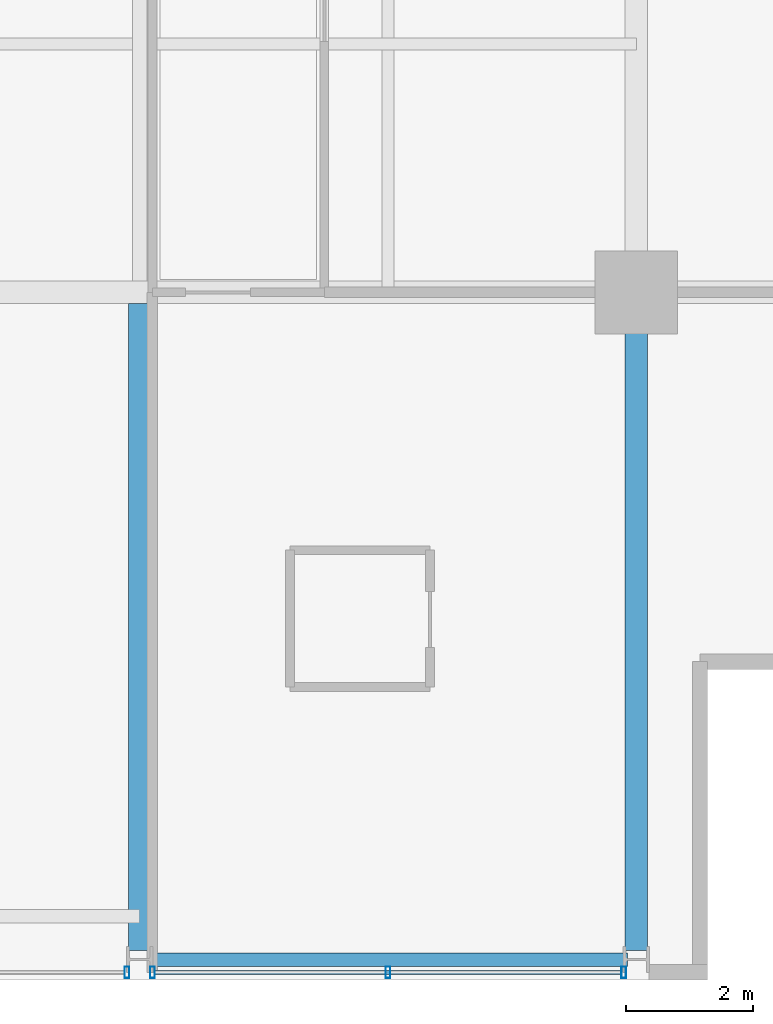
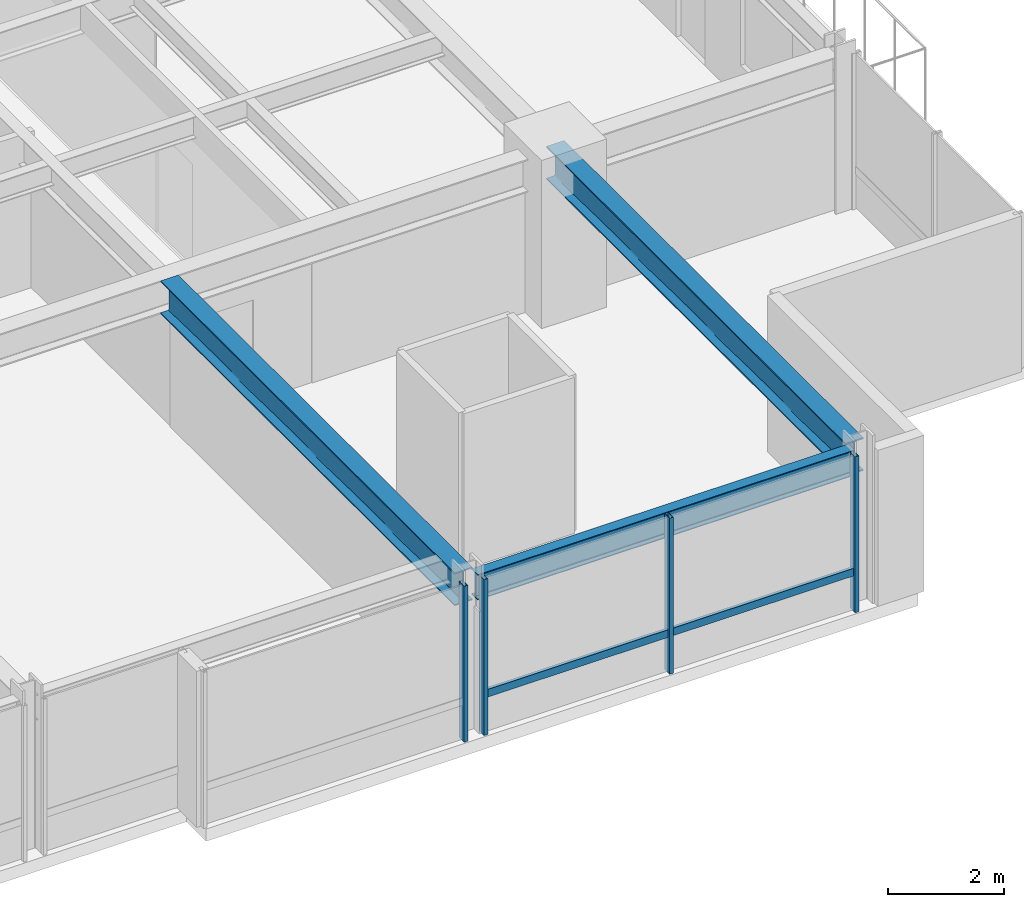
# One storey, part 11 of 32: 5 members, 3 beams, 2 elements without a shape of their own.
"""IFC4 building model written with IfcOpenShell, lengths in metres."""

from ifc_helpers import new_model, si_unit, direction, frame, origin, origin_2d, place, context, subcontext, project, spatial, hollow_rectangle, i_section, extrude, material, layer, layer_set, material_profile, profile_set, type_object, element, aggregate, save


model = new_model("IFC4")

# Units and contexts
model_context = context("Model", 3, precision=1e-05, world=origin(), true_north=direction((0.0, 1.0)))
body_context = subcontext(model_context, "Body", "Model", "MODEL_VIEW")
ifc_project = project(units=[si_unit("LENGTHUNIT", "METRE"), si_unit("AREAUNIT", "SQUARE_METRE"), si_unit("VOLUMEUNIT", "CUBIC_METRE"), si_unit("PLANEANGLEUNIT", "RADIAN"), si_unit("MASSUNIT", "GRAM", prefix="KILO")], contexts=[model_context])

# Site, building, storey
site_placement = place(None, origin())
site = spatial("IfcSite", under=ifc_project, at=site_placement, CompositionType="ELEMENT")
building_placement = place(site_placement, origin())
building = spatial("IfcBuilding", under=site, at=building_placement, Name="Drelvath Grand Hotel", CompositionType="ELEMENT")
storey_placement = place(building_placement, frame((0.0, 0.0, 164.60009765625)))
storey = spatial("IfcBuildingStorey", under=building, at=storey_placement, Name="L42", CompositionType="ELEMENT", Elevation=164.60009765625)

# Curtain wall, member
ifc_material_1 = material(Name="Brushed Pale-Silver Anodised Aluminium Frame", Category="aluminium")
ifc_layer = layer(ifc_material_1, 0.199951171875)
ifc_layer_set = layer_set([ifc_layer], Name="Brushed Pale-Silver Anodised Aluminium Frame")
curtain_wall_type = type_object("IfcCurtainWallType", Name="Stick Curtain Wall CW-04 Brushed Silver Upper-Mid", PredefinedType="NOTDEFINED", material=ifc_layer_set)
curtain_wall_1_placement = place(storey_placement, origin())
curtain_wall_1 = element("IfcCurtainWall", 1, at=curtain_wall_1_placement, inside=storey, type_object=curtain_wall_type, Name="L42 CW-04 Curtain Wall CW04-L42-SE2", PredefinedType="NOTDEFINED")
ifc_material_profile_1 = material_profile(ifc_material_1, hollow_rectangle(XDim=0.06494140625, YDim=0.159912109375, WallThickness=0.00390625, at=origin_2d()), Name="HSS160X65X4")
ifc_profile_set_1 = profile_set([ifc_material_profile_1], Name="Brushed Pale-Silver Anodised Aluminium Frame")
member_type_1 = type_object("IfcMemberType", Name="Curtain Wall Horizontal Transom CW-04 HSS160X65X4", PredefinedType="USERDEFINED", material=ifc_profile_set_1)
member_1_placement = place(storey_placement, frame((15.9599609375, 0.1201171875, 0.822509765625), z_axis=(-1.0, 0.0, 0.0), x_axis=(0.0, -1.0, 0.0)))
member_1 = element("IfcMember", 2, at=member_1_placement, type_object=member_type_1, Name="CW04-L42-SE2 Sill Transom", ObjectType="TRANSOM", PredefinedType="USERDEFINED", context=body_context, shape_type="SweptSolid", body=[
    extrude(hollow_rectangle(XDim=0.06494140625, YDim=0.159912109375, WallThickness=0.00390625, at=origin_2d()), origin(), (0.0, 0.0, 1.0), 7.31982421875),
])

curtain_wall_2_placement = place(storey_placement, origin())
curtain_wall_2 = element("IfcCurtainWall", 3, at=curtain_wall_2_placement, inside=storey, type_object=curtain_wall_type, Name="L42 CW-04 Curtain Wall CW04-L42-SE1", PredefinedType="NOTDEFINED")
ifc_material_profile_2 = material_profile(ifc_material_1, hollow_rectangle(XDim=0.074951171875, YDim=0.179931640625, WallThickness=0.0048828125, at=origin_2d()), Name="HSS180X75X5")
ifc_profile_set_2 = profile_set([ifc_material_profile_2], Name="Brushed Pale-Silver Anodised Aluminium Frame")
member_type_2 = type_object("IfcMemberType", Name="Curtain Wall Vertical Mullion CW-04 HSS180X75X5", PredefinedType="MULLION", material=ifc_profile_set_2)
member_2_placement = place(storey_placement, frame((8.199951171875, 0.1201171875, 0.0), z_axis=(0.0, 0.0, 1.0), x_axis=(1.0, 0.0, 0.0)))
member_2 = element("IfcMember", 4, at=member_2_placement, type_object=member_type_2, Name="CW04-L42-SE1 Mullion 1", PredefinedType="MULLION", context=body_context, shape_type="SweptSolid", body=[
    extrude(hollow_rectangle(XDim=0.074951171875, YDim=0.179931640625, WallThickness=0.0048828125, at=origin_2d()), origin(), (0.0, 0.0, 1.0), 3.289794921875),
])
aggregate(curtain_wall_2, [member_2])

# Member
member_3_placement = place(storey_placement, frame((16.0, 0.1201171875, 0.0), z_axis=(0.0, 0.0, 1.0), x_axis=(1.0, 0.0, 0.0)))
member_3 = element("IfcMember", 5, at=member_3_placement, type_object=member_type_2, Name="CW04-L42-SE2 Mullion 1", PredefinedType="MULLION", context=body_context, shape_type="SweptSolid", body=[
    extrude(hollow_rectangle(XDim=0.074951171875, YDim=0.179931640625, WallThickness=0.0048828125, at=origin_2d()), origin(), (0.0, 0.0, 1.0), 3.289794921875),
])

member_4_placement = place(storey_placement, frame((12.300048828125, 0.1201171875, 0.0), z_axis=(0.0, 0.0, 1.0), x_axis=(1.0, 0.0, 0.0)))
member_4 = element("IfcMember", 6, at=member_4_placement, type_object=member_type_2, Name="CW04-L42-SE2 Mullion 2", PredefinedType="MULLION", context=body_context, shape_type="SweptSolid", body=[
    extrude(hollow_rectangle(XDim=0.074951171875, YDim=0.179931640625, WallThickness=0.0048828125, at=origin_2d()), origin(), (0.0, 0.0, 1.0), 3.289794921875),
])

member_5_placement = place(storey_placement, frame((8.60009765625, 0.1201171875, 0.0), z_axis=(0.0, 0.0, 1.0), x_axis=(1.0, 0.0, 0.0)))
member_5 = element("IfcMember", 7, at=member_5_placement, type_object=member_type_2, Name="CW04-L42-SE2 Mullion 3", PredefinedType="MULLION", context=body_context, shape_type="SweptSolid", body=[
    extrude(hollow_rectangle(XDim=0.074951171875, YDim=0.179931640625, WallThickness=0.0048828125, at=origin_2d()), origin(), (0.0, 0.0, 1.0), 3.289794921875),
])

aggregate(curtain_wall_1, [member_3, member_4, member_5, member_1])

# Beams
ifc_material_2 = material(Name="Steel ASTM A992 Gr 50", Category="steel")
ifc_material_profile_3 = material_profile(ifc_material_2, i_section(OverallWidth=0.210205078125, OverallDepth=0.53662109375, WebThickness=0.010986328125, FlangeThickness=0.017333984375, FilletRadius=0.01806640625, at=origin_2d()), Name="W21X68")
ifc_profile_set_3 = profile_set([ifc_material_profile_3], Name="Steel ASTM A992 Gr 50")
beam_type_1 = type_object("IfcBeamType", Name="Perimeter Spandrel Beam W21X68", PredefinedType="SPANDREL", material=ifc_profile_set_3)
beam_1_placement = place(storey_placement, frame((8.5400390625, 0.320068359375, 3.021484375), z_axis=(1.0, 0.0, 0.0), x_axis=(0.0, 1.0, 0.0)))
element("IfcBeam", 8, at=beam_1_placement, inside=storey, type_object=beam_type_1, Name="L42 Spandrel South E", PredefinedType="SPANDREL", context=body_context, shape_type="SweptSolid", body=[
    extrude(i_section(OverallWidth=0.210205078125, OverallDepth=0.53662109375, WebThickness=0.010986328125, FlangeThickness=0.017333984375, FilletRadius=0.01806640625, at=origin_2d()), origin(), (0.0, 0.0, 1.0), 7.52001953125),
])
ifc_material_profile_4 = material_profile(ifc_material_2, i_section(OverallWidth=0.354736328125, OverallDepth=0.695556640625, WebThickness=0.015380859375, FlangeThickness=0.025146484375, FilletRadius=0.02392578125, at=origin_2d()), Name="W27X146")
ifc_profile_set_4 = profile_set([ifc_material_profile_4], Name="Steel ASTM A992 Gr 50")
beam_type_2 = type_object("IfcBeamType", Name="Primary Floor Girder W27X146", PredefinedType="BEAM", material=ifc_profile_set_4)
beam_2_placement = place(storey_placement, frame((16.199951171875, 0.4599609375, 2.942138671875), z_axis=(0.0, 1.0, 0.0), x_axis=(-1.0, 0.0, 0.0)))
element("IfcBeam", 9, at=beam_2_placement, inside=storey, type_object=beam_type_2, Name="L42 South Grid Girder 7", PredefinedType="BEAM", context=body_context, shape_type="SweptSolid", body=[
    extrude(i_section(OverallWidth=0.354736328125, OverallDepth=0.695556640625, WebThickness=0.015380859375, FlangeThickness=0.025146484375, FilletRadius=0.02392578125, at=origin_2d()), origin(), (0.0, 0.0, 1.0), 10.340087890625),
])
beam_3_placement = place(storey_placement, frame((8.39990234375, 0.4599609375, 2.942138671875), z_axis=(0.0, 1.0, 0.0), x_axis=(-1.0, 0.0, 0.0)))
element("IfcBeam", 10, at=beam_3_placement, inside=storey, type_object=beam_type_2, Name="L42 South Wing Girder 6", PredefinedType="BEAM", context=body_context, shape_type="SweptSolid", body=[
    extrude(i_section(OverallWidth=0.354736328125, OverallDepth=0.695556640625, WebThickness=0.015380859375, FlangeThickness=0.025146484375, FilletRadius=0.02392578125, at=origin_2d()), origin(), (0.0, 0.0, 1.0), 10.16259765625),
])

save(model, "model.ifc")
